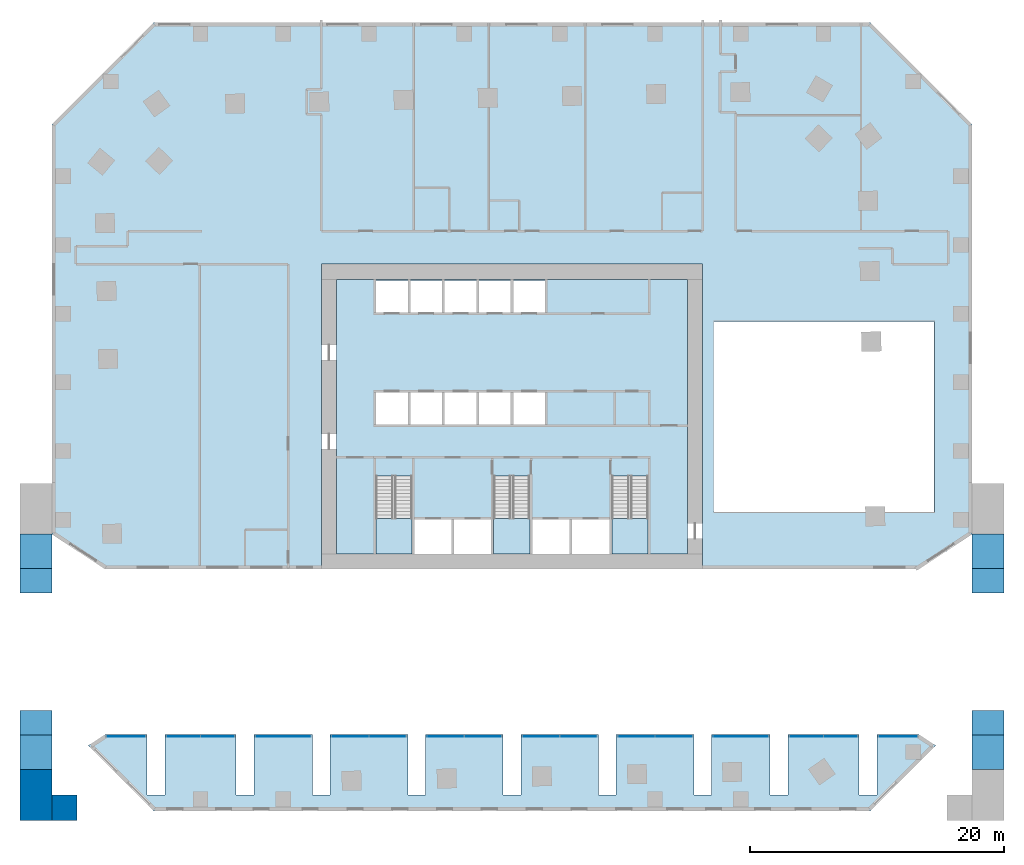
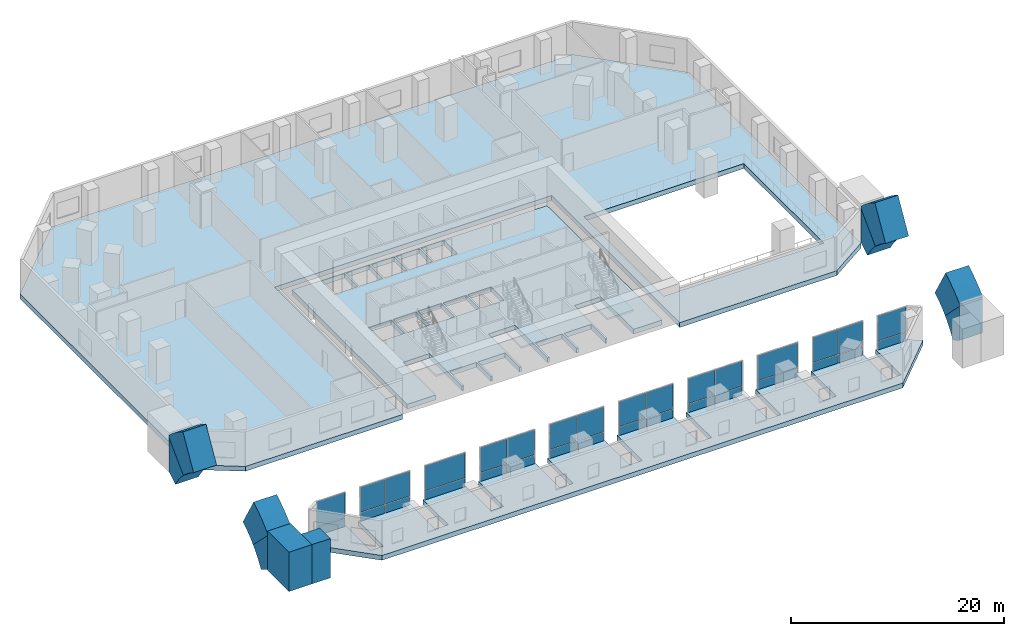
# One storey, part 4 of 12: 40 plates, 6 slabs, 2 walls, 13 elements without a shape of their own.
"""IFC4 building model written with IfcOpenShell, lengths in metres."""

import ifcopenshell
import ifcopenshell.guid

model = None  # the IFC model being written
_history = None  # IfcOwnerHistory: only IFC2X3 demands one
_inside = {}  # id of a spatial element -> (the spatial element, [elements in it])
_under = {}  # id of a project, library or spatial element -> (it, [spatial elements below it])
_declared = {}  # id of a project -> (the project, [libraries it declares])
_typed = {}  # id of a type object -> (the type object, [elements of that type])
_made_of = {}  # id of a material, layer set ... -> (it, [elements and type objects made of it])


def new_model(schema):
    """Start an empty IFC model of exactly this schema.

    Asked for "IFC4X3", IfcOpenShell would pick the latest addendum, in which some entities
    have other attributes; the version numbers below select the first issue.
    IFC2X3 requires an IfcOwnerHistory on every rooted entity: one is made here for all.
    """
    global model, _history
    if schema == "IFC4X3":
        model = ifcopenshell.file(schema_version=(4, 3, 0, 0))
    else:
        model = ifcopenshell.file(schema=schema)
    _inside.clear()
    _under.clear()
    _declared.clear()
    _typed.clear()
    _made_of.clear()
    _history = None
    if model.schema == "IFC2X3":
        org = make("IfcOrganization", Name="unknown")
        user = make(
            "IfcPersonAndOrganization",
            ThePerson=make("IfcPerson", FamilyName="unknown"),
            TheOrganization=org,
        )
        app = make(
            "IfcApplication",
            ApplicationDeveloper=org,
            Version="unknown",
            ApplicationFullName="unknown",
            ApplicationIdentifier="unknown",
        )
        _history = make(
            "IfcOwnerHistory",
            OwningUser=user,
            OwningApplication=app,
            ChangeAction="ADDED",
            CreationDate=0,
        )
    return model


def make(cls, **values):
    """One entity of the class cls with the attributes given. An attribute that is None is left unset."""
    return model.create_entity(
        cls, **{name: value for name, value in values.items() if value is not None}
    )


def rooted(cls, **values):
    """An entity with a GlobalId (a new one), such as an element, a storey or a relation."""
    return make(cls, GlobalId=ifcopenshell.guid.new(), OwnerHistory=_history, **values)


def si_unit(unit_type, name, prefix=None):
    """IfcSIUnit, for example si_unit("LENGTHUNIT", "METRE", prefix="MILLI")."""
    return make("IfcSIUnit", UnitType=unit_type, Prefix=prefix, Name=name)


def assignment(units):
    """IfcUnitAssignment: the units of a project."""
    return None if units is None else make("IfcUnitAssignment", Units=units)


def point(xyz):
    """IfcCartesianPoint."""
    return None if xyz is None else make("IfcCartesianPoint", Coordinates=xyz)


def direction(xyz):
    """IfcDirection."""
    return None if xyz is None else make("IfcDirection", DirectionRatios=xyz)


def frame(location, z_axis=None, x_axis=None):
    """IfcAxis2Placement3D, a coordinate frame: its origin and axes. An axis left out is left unset."""
    return make(
        "IfcAxis2Placement3D",
        Location=point(location),
        Axis=direction(z_axis),
        RefDirection=direction(x_axis),
    )


def frame_2d(location, x_axis=None):
    """IfcAxis2Placement2D, a coordinate frame in the plane: its origin and x axis."""
    return make(
        "IfcAxis2Placement2D", Location=point(location), RefDirection=direction(x_axis)
    )


def origin():
    """The frame at (0, 0, 0) with its axes left unset."""
    return frame((0.0, 0.0, 0.0))


def origin_2d():
    """The frame at (0, 0) in the plane with its x axis left unset."""
    return frame_2d((0.0, 0.0))


def place(relative_to, where):
    """IfcLocalPlacement: puts the frame where relative to a parent placement (None: the world)."""
    return make(
        "IfcLocalPlacement", PlacementRelTo=relative_to, RelativePlacement=where
    )


def context(
    kind, dimensions, precision=None, world=None, true_north=None, identifier=None
):
    """IfcGeometricRepresentationContext, for example the 3D "Model" context."""
    return make(
        "IfcGeometricRepresentationContext",
        ContextIdentifier=identifier,
        ContextType=kind,
        CoordinateSpaceDimension=dimensions,
        Precision=precision,
        WorldCoordinateSystem=world,
        TrueNorth=true_north,
    )


def subcontext(parent, identifier, kind, view, scale=None):
    """IfcGeometricRepresentationSubContext, for example "Body" below "Model"."""
    return make(
        "IfcGeometricRepresentationSubContext",
        ContextIdentifier=identifier,
        ContextType=kind,
        ParentContext=parent,
        TargetScale=scale,
        TargetView=view,
    )


def project(units=None, contexts=None):
    """IfcProject with its units and contexts."""
    return rooted(
        "IfcProject",
        Name="project",
        RepresentationContexts=contexts,
        UnitsInContext=assignment(units),
    )


def spatial(cls, under=None, at=None, **own):
    """A site, building, storey or space (cls), placed at a placement, below another one or the project."""
    s = rooted(cls, ObjectPlacement=at, **own)
    if under is not None:
        _under.setdefault(under.id(), (under, []))[1].append(s)
    return s


def polyline(points):
    """IfcPolyline through the points."""
    return make("IfcPolyline", Points=[point(p) for p in points])


def profile(cls, at=None, kind="AREA", **sizes):
    """A parametric profile (cls). Its sizes go by their IFC names, for example OverallWidth=200.0."""
    return make(cls, ProfileType=kind, Position=at, **sizes)


def rectangle(**sizes):
    """IfcRectangleProfileDef."""
    return profile("IfcRectangleProfileDef", **sizes)


def outline(outer, holes=None, kind="AREA"):
    """IfcArbitraryClosedProfileDef: a profile drawn as a closed curve; with holes, ...WithVoids."""
    if holes is None:
        return make("IfcArbitraryClosedProfileDef", ProfileType=kind, OuterCurve=outer)
    return make(
        "IfcArbitraryProfileDefWithVoids",
        ProfileType=kind,
        OuterCurve=outer,
        InnerCurves=holes,
    )


def extrude(swept, where, along, depth):
    """IfcExtrudedAreaSolid: the profile swept, set in the frame where, extruded along a direction by depth."""
    return make(
        "IfcExtrudedAreaSolid",
        SweptArea=swept,
        Position=where,
        ExtrudedDirection=direction(along),
        Depth=depth,
    )


def shape(context_of_items, identifier, shape_type, items):
    """IfcShapeRepresentation: the items that make up one representation, for example the "Body"."""
    return make(
        "IfcShapeRepresentation",
        ContextOfItems=context_of_items,
        RepresentationIdentifier=identifier,
        RepresentationType=shape_type,
        Items=items,
    )


def material(Name=None, Category=None):
    """IfcMaterial."""
    return make("IfcMaterial", Name=Name, Category=Category)


def layer(
    of_material, thickness, ventilated=None, Name=None, Category=None, Priority=None
):
    """IfcMaterialLayer: one layer of a wall or slab, of a material (None: an air gap)."""
    return make(
        "IfcMaterialLayer",
        Material=of_material,
        LayerThickness=thickness,
        IsVentilated=ventilated,
        Name=Name,
        Category=Category,
        Priority=Priority,
    )


def layer_set(layers, Name=None):
    """IfcMaterialLayerSet."""
    return make("IfcMaterialLayerSet", MaterialLayers=layers, LayerSetName=Name)


def made_of(thing, what):
    """Note that an element or type object is made of a material, layer set ...; save() writes the relation."""
    if what is not None:
        _made_of.setdefault(what.id(), (what, []))[1].append(thing)
    return thing


def type_object(cls, material=None, **own):
    """A type object (cls), such as IfcWallType, which elements share."""
    return made_of(rooted(cls, **own), material)


def element(
    cls,
    number,
    at=None,
    inside=None,
    cuts=None,
    type_object=None,
    material=None,
    context=None,
    identifier="Body",
    shape_type=None,
    held_by="IfcProductDefinitionShape",
    body=None,
    shapes=None,
    **own,
):
    """One element of the class cls, such as IfcWall. Its Tag is "e" and its number.

    at: its placement. inside: the storey or other place that contains it. cuts: it is an
    opening in that element (IfcRelVoidsElement). A single representation is given by context,
    identifier, shape_type and body (its items); several are given by shapes. held_by: the class
    of the entity that holds the representations. save() writes the other relations.
    """
    e = rooted(cls, Tag="e%d" % number, ObjectPlacement=at, **own)
    if body is not None:
        shapes = [shape(context, identifier, shape_type, body)]
    if shapes is not None:
        e.Representation = make(held_by, Representations=shapes)
    if inside is not None:
        _inside.setdefault(inside.id(), (inside, []))[1].append(e)
    if cuts is not None:
        rooted(
            "IfcRelVoidsElement", RelatingBuildingElement=cuts, RelatedOpeningElement=e
        )
    if type_object is not None:
        _typed.setdefault(type_object.id(), (type_object, []))[1].append(e)
    return made_of(e, material)


def aggregate(whole, parts):
    """IfcRelAggregates: a whole, such as a stair, and the parts it consists of."""
    return rooted("IfcRelAggregates", RelatingObject=whole, RelatedObjects=parts)


def save(model, path):
    """Write the relations noted so far, then the file.

    IfcRelAggregates (storeys below a building ...), IfcRelContainedInSpatialStructure (elements
    in a storey), IfcRelDefinesByType, IfcRelAssociatesMaterial and IfcRelDeclares: one each for
    every whole, place, type object, material and project.
    """
    for whole, parts in _under.values():
        aggregate(whole, parts)
    for where, things in _inside.values():
        rooted(
            "IfcRelContainedInSpatialStructure",
            RelatedElements=things,
            RelatingStructure=where,
        )
    for kind, things in _typed.values():
        rooted("IfcRelDefinesByType", RelatedObjects=things, RelatingType=kind)
    for what, things in _made_of.values():
        rooted("IfcRelAssociatesMaterial", RelatedObjects=things, RelatingMaterial=what)
    for by, libraries in _declared.values():
        rooted("IfcRelDeclares", RelatingContext=by, RelatedDefinitions=libraries)
    model.write(path)


model = new_model("IFC4")

# Units and contexts
model_context = context("Model", 3, precision=1e-05, world=origin(), true_north=direction((0.0, 1.0)))
body_context = subcontext(model_context, "Body", "Model", "MODEL_VIEW")
ifc_project = project(units=[si_unit("LENGTHUNIT", "METRE"), si_unit("AREAUNIT", "SQUARE_METRE"), si_unit("VOLUMEUNIT", "CUBIC_METRE"), si_unit("PLANEANGLEUNIT", "RADIAN"), si_unit("MASSUNIT", "GRAM", prefix="KILO")], contexts=[model_context])

# Site, building, storey
site_placement = place(None, origin())
site = spatial("IfcSite", under=ifc_project, at=site_placement, CompositionType="ELEMENT")
building_placement = place(site_placement, origin())
building = spatial("IfcBuilding", under=site, at=building_placement, Name="Mangrove Gate Tower", CompositionType="ELEMENT")
storey_placement = place(building_placement, frame((0.0, 0.0, 16.0)))
storey = spatial("IfcBuildingStorey", under=building, at=storey_placement, Name="L03", CompositionType="ELEMENT", Elevation=16.0)

# Slab
ifc_material_1 = material(Name="Concrete C40/50", Category="concrete")
ifc_layer_1 = layer(ifc_material_1, 0.550048828125)
ifc_layer_set_1 = layer_set([ifc_layer_1], Name="Core floor slab 550 C40/50")
slab_type_1 = type_object("IfcSlabType", Name="Core floor slab 550 C40/50", PredefinedType="FLOOR", material=ifc_layer_set_1)
slab_1_placement = place(storey_placement, frame((0.0, 0.0, -0.550048828125)))
element("IfcSlab", 1, at=slab_1_placement, inside=storey, type_object=slab_type_1, Name="SLAB-L03-CORE-1", PredefinedType="FLOOR", context=body_context, shape_type="SweptSolid", body=[
    extrude(outline(polyline([(-13.800048828125, -10.800048828125), (-13.800048828125, 10.800048828125), (13.800048828125, 10.800048828125), (13.800048828125, -10.800048828125), (10.699951171875, -10.800048828125), (10.699951171875, -4.653076171875), (7.85009765625, -4.653076171875), (7.85009765625, -10.800048828125), (7.64990234375, -10.800048828125), (7.64990234375, -8.10009765625), (4.72509765625, -8.10009765625), (4.72509765625, -10.800048828125), (4.52490234375, -10.800048828125), (4.52490234375, -8.10009765625), (1.60009765625, -8.10009765625), (1.60009765625, -10.800048828125), (1.39990234375, -10.800048828125), (1.39990234375, -4.653076171875), (-1.449951171875, -4.653076171875), (-1.449951171875, -10.800048828125), (-1.64990234375, -10.800048828125), (-1.64990234375, -8.10009765625), (-4.550048828125, -8.10009765625), (-4.550048828125, -10.800048828125), (-4.75, -10.800048828125), (-4.75, -8.10009765625), (-7.64990234375, -8.10009765625), (-7.64990234375, -10.800048828125), (-7.85009765625, -10.800048828125), (-7.85009765625, -4.653076171875), (-10.699951171875, -4.653076171875), (-10.699951171875, -10.800048828125), (-13.800048828125, -10.800048828125)]), holes=[polyline([(-8.199951171875, -0.60009765625), (-8.199951171875, 1.89990234375), (-10.699951171875, 1.89990234375), (-10.699951171875, -0.60009765625), (-8.199951171875, -0.60009765625)]), polyline([(-5.5, -0.60009765625), (-5.5, 1.89990234375), (-8.0, 1.89990234375), (-8.0, -0.60009765625), (-5.5, -0.60009765625)]), polyline([(-2.800048828125, -0.60009765625), (-2.800048828125, 1.89990234375), (-5.300048828125, 1.89990234375), (-5.300048828125, -0.60009765625), (-2.800048828125, -0.60009765625)]), polyline([(-8.199951171875, 8.199951171875), (-8.199951171875, 10.699951171875), (-10.699951171875, 10.699951171875), (-10.699951171875, 8.199951171875), (-8.199951171875, 8.199951171875)]), polyline([(-5.5, 8.199951171875), (-5.5, 10.699951171875), (-8.0, 10.699951171875), (-8.0, 8.199951171875), (-5.5, 8.199951171875)]), polyline([(-2.800048828125, 8.199951171875), (-2.800048828125, 10.699951171875), (-5.300048828125, 10.699951171875), (-5.300048828125, 8.199951171875), (-2.800048828125, 8.199951171875)]), polyline([(-0.10009765625, -0.60009765625), (-0.10009765625, 1.89990234375), (-2.60009765625, 1.89990234375), (-2.60009765625, -0.60009765625), (-0.10009765625, -0.60009765625)]), polyline([(2.60009765625, -0.60009765625), (2.60009765625, 1.89990234375), (0.10009765625, 1.89990234375), (0.10009765625, -0.60009765625), (2.60009765625, -0.60009765625)]), polyline([(-2.60009765625, 8.199951171875), (-0.10009765625, 8.199951171875), (-0.10009765625, 10.699951171875), (-2.60009765625, 10.699951171875), (-2.60009765625, 8.199951171875)]), polyline([(0.10009765625, 8.199951171875), (2.60009765625, 8.199951171875), (2.60009765625, 10.699951171875), (0.10009765625, 10.699951171875), (0.10009765625, 8.199951171875)])]), origin(), (0.0, 0.0, 1.0), 0.550048828125),
])

# Stair, slab
ifc_material_2 = material(Name="Concrete C40/50", Category="concrete")
stair_type = type_object("IfcStairType", Name="Core stair 1350", PredefinedType="HALF_TURN_STAIR", material=ifc_material_2)
stair_1_placement = place(storey_placement, origin())
stair_1 = element("IfcStair", 2, at=stair_1_placement, inside=storey, type_object=stair_type, Name="L03 Stair 1", PredefinedType="HALF_TURN_STAIR")
ifc_material_3 = material(Name="Concrete C40/50", Category="concrete")
ifc_layer_2 = layer(ifc_material_3, 0.199951171875)
ifc_layer_set_2 = layer_set([ifc_layer_2], Name="Core stair landing 200")
slab_type_2 = type_object("IfcSlabType", Name="Core stair landing 200", PredefinedType="LANDING", material=ifc_layer_set_2)
slab_2_placement = place(storey_placement, frame((0.0, 0.0, 2.050048828125)))
slab_2 = element("IfcSlab", 3, at=slab_2_placement, type_object=slab_type_2, Name="ST1 landing 1", PredefinedType="LANDING", context=body_context, shape_type="SweptSolid", body=[
    extrude(outline(polyline([(-10.699951171875, -8.010009765625), (-10.699951171875, -10.800048828125), (-7.85009765625, -10.800048828125), (-7.85009765625, -8.010009765625), (-10.699951171875, -8.010009765625)])), origin(), (0.0, 0.0, 1.0), 0.199951171875),
])
aggregate(stair_1, [slab_2])

stair_2_placement = place(storey_placement, origin())
stair_2 = element("IfcStair", 4, at=stair_2_placement, inside=storey, type_object=stair_type, Name="L03 Stair 2", PredefinedType="HALF_TURN_STAIR")
slab_3_placement = place(storey_placement, frame((0.0, 0.0, 2.050048828125)))
slab_3 = element("IfcSlab", 5, at=slab_3_placement, type_object=slab_type_2, Name="ST2 landing 1", PredefinedType="LANDING", context=body_context, shape_type="SweptSolid", body=[
    extrude(outline(polyline([(-1.449951171875, -8.010009765625), (-1.449951171875, -10.800048828125), (1.39990234375, -10.800048828125), (1.39990234375, -8.010009765625), (-1.449951171875, -8.010009765625)])), origin(), (0.0, 0.0, 1.0), 0.199951171875),
])
aggregate(stair_2, [slab_3])

stair_3_placement = place(storey_placement, origin())
stair_3 = element("IfcStair", 6, at=stair_3_placement, inside=storey, type_object=stair_type, Name="L03 Stair 3", PredefinedType="HALF_TURN_STAIR")
slab_4_placement = place(storey_placement, frame((0.0, 0.0, 2.050048828125)))
slab_4 = element("IfcSlab", 7, at=slab_4_placement, type_object=slab_type_2, Name="ST3 landing 1", PredefinedType="LANDING", context=body_context, shape_type="SweptSolid", body=[
    extrude(outline(polyline([(7.85009765625, -8.010009765625), (7.85009765625, -10.800048828125), (10.699951171875, -10.800048828125), (10.699951171875, -8.010009765625), (7.85009765625, -8.010009765625)])), origin(), (0.0, 0.0, 1.0), 0.199951171875),
])
aggregate(stair_3, [slab_4])

# Slabs
ifc_material_4 = material(Name="Concrete C40/50", Category="concrete")
ifc_layer_3 = layer(ifc_material_4, 0.550048828125)
ifc_layer_set_3 = layer_set([ifc_layer_3], Name="Floor slab 550 C40/50")
slab_type_3 = type_object("IfcSlabType", Name="Floor slab 550 C40/50", PredefinedType="FLOOR", material=ifc_layer_set_3)
slab_5_placement = place(storey_placement, frame((0.0, 0.0, -0.550048828125)))
element("IfcSlab", 8, at=slab_5_placement, inside=storey, type_object=slab_type_3, Name="Floor slab L03", PredefinedType="FLOOR", context=body_context, shape_type="SweptSolid", body=[
    extrude(outline(polyline([(-28.699951171875, -25.0), (-32.0, -25.0), (-33.32958984375, -25.87060546875), (-28.199951171875, -31.0), (28.199951171875, -31.0), (33.32958984375, -25.87060546875), (32.0, -25.0), (28.699951171875, -25.0), (28.699951171875, -29.75), (27.300048828125, -29.75), (27.300048828125, -25.0), (21.699951171875, -25.0), (21.699951171875, -29.75), (20.300048828125, -29.75), (20.300048828125, -25.0), (15.699951171875, -25.0), (15.699951171875, -29.75), (14.300048828125, -29.75), (14.300048828125, -25.0), (8.199951171875, -25.0), (8.199951171875, -29.75), (6.800048828125, -29.75), (6.800048828125, -25.0), (0.699951171875, -25.0), (0.699951171875, -29.75), (-0.699951171875, -29.75), (-0.699951171875, -25.0), (-6.800048828125, -25.0), (-6.800048828125, -29.75), (-8.199951171875, -29.75), (-8.199951171875, -25.0), (-14.300048828125, -25.0), (-14.300048828125, -29.75), (-15.699951171875, -29.75), (-15.699951171875, -25.0), (-20.300048828125, -25.0), (-20.300048828125, -29.75), (-21.699951171875, -29.75), (-21.699951171875, -25.0), (-27.300048828125, -25.0), (-27.300048828125, -29.75), (-28.699951171875, -29.75), (-28.699951171875, -25.0)])), origin(), (0.0, 0.0, 1.0), 0.550048828125),
])
slab_6_placement = place(storey_placement, frame((0.0, 0.0, -0.550048828125)))
element("IfcSlab", 9, at=slab_6_placement, inside=storey, type_object=slab_type_3, Name="Floor slab L03", PredefinedType="FLOOR", context=body_context, shape_type="SweptSolid", body=[
    extrude(outline(polyline([(36.199951171875, -9.25), (36.199951171875, 23.0), (28.199951171875, 31.0), (-28.199951171875, 31.0), (-36.199951171875, 23.0), (-36.199951171875, -9.25), (-32.0, -12.0), (-15.0, -12.0), (-15.0, 12.0), (15.0, 12.0), (15.0, -12.0), (32.0, -12.0), (36.199951171875, -9.25)]), holes=[polyline([(15.89990234375, 7.5), (33.199951171875, 7.5), (33.199951171875, -7.5), (15.89990234375, -7.5), (15.89990234375, 7.5)])]), origin(), (0.0, 0.0, 1.0), 0.550048828125),
])

# Plates
ifc_material_5 = material(Name="Limestone cladding", Category="masonry")
ifc_layer_4 = layer(ifc_material_5, 2.5)
ifc_layer_set_4 = layer_set([ifc_layer_4], Name="Limestone arch panel")
plate_type_1 = type_object("IfcPlateType", Name="Limestone arch panel", PredefinedType="SHEET", material=ifc_layer_set_4)
plate_1_placement = place(storey_placement, frame((38.699951171875, -10.489013671875, -0.625), z_axis=(1.0, 0.0, 0.0), x_axis=(0.0, 0.866103179807, 0.499865263774)))
element("IfcPlate", 10, at=plate_1_placement, inside=storey, type_object=plate_type_1, Name="ARCH STONE E 3", PredefinedType="SHEET", context=body_context, shape_type="SweptSolid", body=[
    extrude(outline(polyline([(0.0, 0.0), (1.430561278, 0.0), (3.384990526, 3.386387311), (-0.315396644, 2.394254519), (-0.177663523, 1.804552799), (-0.078996875, 1.207236428), (-0.020323459, 0.60509535), (0.0, 0.0)])), origin(), (0.0, 0.0, -1.0), 2.5),
])
plate_2_placement = place(storey_placement, frame((38.699951171875, -11.958984375, 1.291015625), z_axis=(1.0, 0.0, 0.0), x_axis=(0.0, 0.707106781187, 0.707106781187)))
element("IfcPlate", 11, at=plate_2_placement, inside=storey, type_object=plate_type_1, Name="ARCH STONE E 4", PredefinedType="SHEET", context=body_context, shape_type="SweptSolid", body=[
    extrude(outline(polyline([(0.0, 0.0), (3.831082443, 0.0), (3.994393726, 0.163311283), (3.971088205, 0.866792761), (3.886152527, 1.729614951), (3.744938331, 2.585186535), (3.548308784, 3.429536942), (-0.315401389, 2.394253894), (-0.178330397, 1.804537887), (-0.079066139, 1.207743907), (-0.019680218, 0.605253021), (0.0, 0.0)])), origin(), (0.0, 0.0, -1.0), 2.5),
])
plate_3_placement = place(storey_placement, frame((38.699951171875, -23.125, 2.760986328125), z_axis=(1.0, 0.0, 0.0), x_axis=(0.0, -0.49999894854, 0.866026010844)))
element("IfcPlate", 12, at=plate_3_placement, inside=storey, type_object=plate_type_1, Name="ARCH STONE E 9", PredefinedType="SHEET", context=body_context, shape_type="SweptSolid", body=[
    extrude(outline(polyline([(0.0, 0.0), (4.000008412, 0.0), (3.971402951, 0.866471301), (3.886366122, 1.729438811), (3.745091833, 2.584843847), (3.585528001, 3.270386494), (3.385513205, 3.385864767), (-0.315027066, 2.394303174), (-0.177384972, 1.804580202), (-0.078810526, 1.207248608), (-0.020230057, 0.60509848), (0.0, 0.0)])), origin(), (0.0, 0.0, -1.0), 2.5),
])
plate_4_placement = place(storey_placement, frame((38.699951171875, -25.041015625, 1.291015625), z_axis=(1.0, 0.0, 0.0), x_axis=(0.0, -0.707106781187, 0.707106781187)))
element("IfcPlate", 13, at=plate_4_placement, inside=storey, type_object=plate_type_1, Name="ARCH STONE E 10", PredefinedType="SHEET", context=body_context, shape_type="SweptSolid", body=[
    extrude(outline(polyline([(0.0, 0.0), (3.831082443, 0.0), (1.066357077, 2.764725366), (-0.315401389, 2.394253894), (-0.178330397, 1.804537887), (-0.079066139, 1.207743907), (-0.019680218, 0.605253021), (0.0, 0.0)])), origin(), (0.0, 0.0, -1.0), 2.5),
])
plate_5_placement = place(storey_placement, frame((-38.699951171875, -10.80908203125, -0.111083984375), z_axis=(-1.0, 0.0, 0.0), x_axis=(0.0, -0.581505373245, 0.813542562431)))
element("IfcPlate", 14, at=plate_5_placement, inside=storey, type_object=plate_type_1, Name="ARCH STONE W 3", PredefinedType="SHEET", context=body_context, shape_type="SweptSolid", body=[
    extrude(outline(polyline([(0.0, 0.0), (0.604992932, 0.0), (1.209062523, -0.04027262), (1.809342101, -0.120166043), (2.437927221, 3.658997018), (-0.742952696, 1.385362117), (-0.604214023, -0.038455691), (0.0, 0.0)])), origin(), (0.0, 0.0, -1.0), 2.5),
])
plate_6_placement = place(storey_placement, frame((-38.699951171875, -12.40087890625, 1.705078125), z_axis=(-1.0, 0.0, 0.0), x_axis=(0.0, -0.773058158709, 0.634335150574)))
element("IfcPlate", 15, at=plate_6_placement, inside=storey, type_object=plate_type_1, Name="ARCH STONE W 4", PredefinedType="SHEET", context=body_context, shape_type="SweptSolid", body=[
    extrude(outline(polyline([(0.0, 0.0), (0.605410567, 0.0), (1.209063448, -0.040244838), (1.809381027, -0.118808375), (2.460672291, 3.827821451), (1.601106107, 3.94067872), (0.735808663, 3.99728718), (-0.13118395, 3.997177306), (-0.833558869, 3.951364542), (-0.980063032, 3.772821325), (-0.604264571, -0.03978516), (0.0, 0.0)])), origin(), (0.0, 0.0, -1.0), 2.5),
])
plate_7_placement = place(storey_placement, frame((-38.699951171875, -23.638916015625, 2.44091796875), z_axis=(-1.0, 0.0, 0.0), x_axis=(0.0, -0.813542562431, -0.581505373245)))
element("IfcPlate", 16, at=plate_7_placement, inside=storey, type_object=plate_type_1, Name="ARCH STONE W 9", PredefinedType="SHEET", context=body_context, shape_type="SweptSolid", body=[
    extrude(outline(polyline([(0.0, 0.0), (0.604992932, 0.0), (1.209062523, -0.04027262), (1.809342101, -0.120166043), (2.437927221, 3.658997018), (2.303624466, 3.846890393), (1.605852816, 3.939324484), (0.740787889, 3.997107478), (-0.126358594, 3.998185004), (-0.991528249, 3.942757062), (-0.604214023, -0.038455691), (0.0, 0.0)])), origin(), (0.0, 0.0, -1.0), 2.5),
])
plate_8_placement = place(storey_placement, frame((-38.699951171875, -25.455078125, 0.84912109375), z_axis=(-1.0, 0.0, 0.0), x_axis=(0.0, -0.634335150574, -0.773058158709)))
element("IfcPlate", 17, at=plate_8_placement, inside=storey, type_object=plate_type_1, Name="ARCH STONE W 10", PredefinedType="SHEET", context=body_context, shape_type="SweptSolid", body=[
    extrude(outline(polyline([(0.0, 0.0), (0.605410567, 0.0), (1.209063448, -0.040244838), (1.809381027, -0.118808375), (2.042526424, 1.292626638), (-0.980063032, 3.772821325), (-0.604264571, -0.03978516), (0.0, 0.0)])), origin(), (0.0, 0.0, -1.0), 2.5),
])

# Curtain wall, plates
ifc_material_6 = material(Name="Aluminium and glass curtain wall", Category="aluminium")
curtain_wall_type = type_object("IfcCurtainWallType", Name="Podium amenity glazing wall", PredefinedType="NOTDEFINED", material=ifc_material_6)
curtain_wall_1_placement = place(storey_placement, origin())
curtain_wall_1 = element("IfcCurtainWall", 18, at=curtain_wall_1_placement, inside=storey, type_object=curtain_wall_type, Name="Podium amenity glazing N1", PredefinedType="NOTDEFINED")
ifc_material_7 = material(Name="Laminated low-e glass", Category="glass")
ifc_layer_5 = layer(ifc_material_7, 0.028076171875)
ifc_layer_set_5 = layer_set([ifc_layer_5], Name="Podium amenity glazing panel 28")
plate_type_2 = type_object("IfcPlateType", Name="Podium amenity glazing panel 28", PredefinedType="CURTAIN_PANEL", material=ifc_layer_set_5)
plate_9_placement = place(storey_placement, frame((30.36767578125, -25.14990234375, 0.0), z_axis=(0.0, 0.0, 1.0), x_axis=(-1.0, 0.0, 0.0)))
plate_9 = element("IfcPlate", 19, at=plate_9_placement, type_object=plate_type_2, Name="CWP panel 1.1", PredefinedType="CURTAIN_PANEL", context=body_context, shape_type="SweptSolid", body=[
    extrude(rectangle(XDim=3.05517578125, YDim=0.028076171875, at=origin_2d()), origin(), (0.0, 0.0, 1.0), 0.969970703125),
])
plate_10_placement = place(storey_placement, frame((30.36767578125, -25.14990234375, 1.02978515625), z_axis=(0.0, 0.0, 1.0), x_axis=(-1.0, 0.0, 0.0)))
plate_10 = element("IfcPlate", 20, at=plate_10_placement, type_object=plate_type_2, Name="CWP panel 1.2", PredefinedType="CURTAIN_PANEL", context=body_context, shape_type="SweptSolid", body=[
    extrude(rectangle(XDim=3.05517578125, YDim=0.028076171875, at=origin_2d()), origin(), (0.0, 0.0, 1.0), 2.860107421875),
])
aggregate(curtain_wall_1, [plate_9, plate_10])

curtain_wall_2_placement = place(storey_placement, origin())
curtain_wall_2 = element("IfcCurtainWall", 21, at=curtain_wall_2_placement, inside=storey, type_object=curtain_wall_type, Name="Podium amenity glazing N4011", PredefinedType="NOTDEFINED")
plate_11_placement = place(storey_placement, frame((25.844970703125, -25.14990234375, 0.0), z_axis=(0.0, 0.0, 1.0), x_axis=(-1.0, 0.0, 0.0)))
plate_11 = element("IfcPlate", 22, at=plate_11_placement, type_object=plate_type_2, Name="CWP panel 1.1", PredefinedType="CURTAIN_PANEL", context=body_context, shape_type="SweptSolid", body=[
    extrude(rectangle(XDim=2.6298828125, YDim=0.028076171875, at=origin_2d()), origin(), (0.0, 0.0, 1.0), 0.969970703125),
])
plate_12_placement = place(storey_placement, frame((25.844970703125, -25.14990234375, 1.02978515625), z_axis=(0.0, 0.0, 1.0), x_axis=(-1.0, 0.0, 0.0)))
plate_12 = element("IfcPlate", 23, at=plate_12_placement, type_object=plate_type_2, Name="CWP panel 1.2", PredefinedType="CURTAIN_PANEL", context=body_context, shape_type="SweptSolid", body=[
    extrude(rectangle(XDim=2.6298828125, YDim=0.028076171875, at=origin_2d()), origin(), (0.0, 0.0, 1.0), 2.860107421875),
])
plate_13_placement = place(storey_placement, frame((23.155029296875, -25.14990234375, 0.0), z_axis=(0.0, 0.0, 1.0), x_axis=(-1.0, 0.0, 0.0)))
plate_13 = element("IfcPlate", 24, at=plate_13_placement, type_object=plate_type_2, Name="CWP panel 2.1", PredefinedType="CURTAIN_PANEL", context=body_context, shape_type="SweptSolid", body=[
    extrude(rectangle(XDim=2.6298828125, YDim=0.028076171875, at=origin_2d()), origin(), (0.0, 0.0, 1.0), 0.969970703125),
])
plate_14_placement = place(storey_placement, frame((23.155029296875, -25.14990234375, 1.02978515625), z_axis=(0.0, 0.0, 1.0), x_axis=(-1.0, 0.0, 0.0)))
plate_14 = element("IfcPlate", 25, at=plate_14_placement, type_object=plate_type_2, Name="CWP panel 2.2", PredefinedType="CURTAIN_PANEL", context=body_context, shape_type="SweptSolid", body=[
    extrude(rectangle(XDim=2.6298828125, YDim=0.028076171875, at=origin_2d()), origin(), (0.0, 0.0, 1.0), 2.860107421875),
])
aggregate(curtain_wall_2, [plate_11, plate_12, plate_13, plate_14])

curtain_wall_3_placement = place(storey_placement, origin())
curtain_wall_3 = element("IfcCurtainWall", 26, at=curtain_wall_3_placement, inside=storey, type_object=curtain_wall_type, Name="Podium amenity glazing N4012", PredefinedType="NOTDEFINED")
plate_15_placement = place(storey_placement, frame((18.0, -25.14990234375, 0.0), z_axis=(0.0, 0.0, 1.0), x_axis=(-1.0, 0.0, 0.0)))
plate_15 = element("IfcPlate", 27, at=plate_15_placement, type_object=plate_type_2, Name="CWP panel 1.1", PredefinedType="CURTAIN_PANEL", context=body_context, shape_type="SweptSolid", body=[
    extrude(rectangle(XDim=4.320068359375, YDim=0.028076171875, at=origin_2d()), origin(), (0.0, 0.0, 1.0), 0.969970703125),
])
plate_16_placement = place(storey_placement, frame((18.0, -25.14990234375, 1.02978515625), z_axis=(0.0, 0.0, 1.0), x_axis=(-1.0, 0.0, 0.0)))
plate_16 = element("IfcPlate", 28, at=plate_16_placement, type_object=plate_type_2, Name="CWP panel 1.2", PredefinedType="CURTAIN_PANEL", context=body_context, shape_type="SweptSolid", body=[
    extrude(rectangle(XDim=4.320068359375, YDim=0.028076171875, at=origin_2d()), origin(), (0.0, 0.0, 1.0), 2.860107421875),
])
aggregate(curtain_wall_3, [plate_15, plate_16])

curtain_wall_4_placement = place(storey_placement, origin())
curtain_wall_4 = element("IfcCurtainWall", 29, at=curtain_wall_4_placement, inside=storey, type_object=curtain_wall_type, Name="Podium amenity glazing N4013", PredefinedType="NOTDEFINED")
plate_17_placement = place(storey_placement, frame((12.719970703125, -25.14990234375, 0.0), z_axis=(0.0, 0.0, 1.0), x_axis=(-1.0, 0.0, 0.0)))
plate_17 = element("IfcPlate", 30, at=plate_17_placement, type_object=plate_type_2, Name="CWP panel 1.1", PredefinedType="CURTAIN_PANEL", context=body_context, shape_type="SweptSolid", body=[
    extrude(rectangle(XDim=2.8798828125, YDim=0.028076171875, at=origin_2d()), origin(), (0.0, 0.0, 1.0), 0.969970703125),
])
plate_18_placement = place(storey_placement, frame((12.719970703125, -25.14990234375, 1.02978515625), z_axis=(0.0, 0.0, 1.0), x_axis=(-1.0, 0.0, 0.0)))
plate_18 = element("IfcPlate", 31, at=plate_18_placement, type_object=plate_type_2, Name="CWP panel 1.2", PredefinedType="CURTAIN_PANEL", context=body_context, shape_type="SweptSolid", body=[
    extrude(rectangle(XDim=2.8798828125, YDim=0.028076171875, at=origin_2d()), origin(), (0.0, 0.0, 1.0), 2.860107421875),
])
plate_19_placement = place(storey_placement, frame((9.780029296875, -25.14990234375, 0.0), z_axis=(0.0, 0.0, 1.0), x_axis=(-1.0, 0.0, 0.0)))
plate_19 = element("IfcPlate", 32, at=plate_19_placement, type_object=plate_type_2, Name="CWP panel 2.1", PredefinedType="CURTAIN_PANEL", context=body_context, shape_type="SweptSolid", body=[
    extrude(rectangle(XDim=2.8798828125, YDim=0.028076171875, at=origin_2d()), origin(), (0.0, 0.0, 1.0), 0.969970703125),
])
plate_20_placement = place(storey_placement, frame((9.780029296875, -25.14990234375, 1.02978515625), z_axis=(0.0, 0.0, 1.0), x_axis=(-1.0, 0.0, 0.0)))
plate_20 = element("IfcPlate", 33, at=plate_20_placement, type_object=plate_type_2, Name="CWP panel 2.2", PredefinedType="CURTAIN_PANEL", context=body_context, shape_type="SweptSolid", body=[
    extrude(rectangle(XDim=2.8798828125, YDim=0.028076171875, at=origin_2d()), origin(), (0.0, 0.0, 1.0), 2.860107421875),
])
aggregate(curtain_wall_4, [plate_17, plate_18, plate_19, plate_20])

curtain_wall_5_placement = place(storey_placement, origin())
curtain_wall_5 = element("IfcCurtainWall", 34, at=curtain_wall_5_placement, inside=storey, type_object=curtain_wall_type, Name="Podium amenity glazing N4014", PredefinedType="NOTDEFINED")
plate_21_placement = place(storey_placement, frame((5.219970703125, -25.14990234375, 0.0), z_axis=(0.0, 0.0, 1.0), x_axis=(-1.0, 0.0, 0.0)))
plate_21 = element("IfcPlate", 35, at=plate_21_placement, type_object=plate_type_2, Name="CWP panel 1.1", PredefinedType="CURTAIN_PANEL", context=body_context, shape_type="SweptSolid", body=[
    extrude(rectangle(XDim=2.8798828125, YDim=0.028076171875, at=origin_2d()), origin(), (0.0, 0.0, 1.0), 0.969970703125),
])
plate_22_placement = place(storey_placement, frame((5.219970703125, -25.14990234375, 1.02978515625), z_axis=(0.0, 0.0, 1.0), x_axis=(-1.0, 0.0, 0.0)))
plate_22 = element("IfcPlate", 36, at=plate_22_placement, type_object=plate_type_2, Name="CWP panel 1.2", PredefinedType="CURTAIN_PANEL", context=body_context, shape_type="SweptSolid", body=[
    extrude(rectangle(XDim=2.8798828125, YDim=0.028076171875, at=origin_2d()), origin(), (0.0, 0.0, 1.0), 2.860107421875),
])
plate_23_placement = place(storey_placement, frame((2.280029296875, -25.14990234375, 0.0), z_axis=(0.0, 0.0, 1.0), x_axis=(-1.0, 0.0, 0.0)))
plate_23 = element("IfcPlate", 37, at=plate_23_placement, type_object=plate_type_2, Name="CWP panel 2.1", PredefinedType="CURTAIN_PANEL", context=body_context, shape_type="SweptSolid", body=[
    extrude(rectangle(XDim=2.8798828125, YDim=0.028076171875, at=origin_2d()), origin(), (0.0, 0.0, 1.0), 0.969970703125),
])
plate_24_placement = place(storey_placement, frame((2.280029296875, -25.14990234375, 1.02978515625), z_axis=(0.0, 0.0, 1.0), x_axis=(-1.0, 0.0, 0.0)))
plate_24 = element("IfcPlate", 38, at=plate_24_placement, type_object=plate_type_2, Name="CWP panel 2.2", PredefinedType="CURTAIN_PANEL", context=body_context, shape_type="SweptSolid", body=[
    extrude(rectangle(XDim=2.8798828125, YDim=0.028076171875, at=origin_2d()), origin(), (0.0, 0.0, 1.0), 2.860107421875),
])
aggregate(curtain_wall_5, [plate_21, plate_22, plate_23, plate_24])

curtain_wall_6_placement = place(storey_placement, origin())
curtain_wall_6 = element("IfcCurtainWall", 39, at=curtain_wall_6_placement, inside=storey, type_object=curtain_wall_type, Name="Podium amenity glazing N4015", PredefinedType="NOTDEFINED")
plate_25_placement = place(storey_placement, frame((-2.280029296875, -25.14990234375, 0.0), z_axis=(0.0, 0.0, 1.0), x_axis=(-1.0, 0.0, 0.0)))
plate_25 = element("IfcPlate", 40, at=plate_25_placement, type_object=plate_type_2, Name="CWP panel 1.1", PredefinedType="CURTAIN_PANEL", context=body_context, shape_type="SweptSolid", body=[
    extrude(rectangle(XDim=2.8798828125, YDim=0.028076171875, at=origin_2d()), origin(), (0.0, 0.0, 1.0), 0.969970703125),
])
plate_26_placement = place(storey_placement, frame((-2.280029296875, -25.14990234375, 1.02978515625), z_axis=(0.0, 0.0, 1.0), x_axis=(-1.0, 0.0, 0.0)))
plate_26 = element("IfcPlate", 41, at=plate_26_placement, type_object=plate_type_2, Name="CWP panel 1.2", PredefinedType="CURTAIN_PANEL", context=body_context, shape_type="SweptSolid", body=[
    extrude(rectangle(XDim=2.8798828125, YDim=0.028076171875, at=origin_2d()), origin(), (0.0, 0.0, 1.0), 2.860107421875),
])
plate_27_placement = place(storey_placement, frame((-5.219970703125, -25.14990234375, 0.0), z_axis=(0.0, 0.0, 1.0), x_axis=(-1.0, 0.0, 0.0)))
plate_27 = element("IfcPlate", 42, at=plate_27_placement, type_object=plate_type_2, Name="CWP panel 2.1", PredefinedType="CURTAIN_PANEL", context=body_context, shape_type="SweptSolid", body=[
    extrude(rectangle(XDim=2.8798828125, YDim=0.028076171875, at=origin_2d()), origin(), (0.0, 0.0, 1.0), 0.969970703125),
])
plate_28_placement = place(storey_placement, frame((-5.219970703125, -25.14990234375, 1.02978515625), z_axis=(0.0, 0.0, 1.0), x_axis=(-1.0, 0.0, 0.0)))
plate_28 = element("IfcPlate", 43, at=plate_28_placement, type_object=plate_type_2, Name="CWP panel 2.2", PredefinedType="CURTAIN_PANEL", context=body_context, shape_type="SweptSolid", body=[
    extrude(rectangle(XDim=2.8798828125, YDim=0.028076171875, at=origin_2d()), origin(), (0.0, 0.0, 1.0), 2.860107421875),
])
aggregate(curtain_wall_6, [plate_25, plate_26, plate_27, plate_28])

curtain_wall_7_placement = place(storey_placement, origin())
curtain_wall_7 = element("IfcCurtainWall", 44, at=curtain_wall_7_placement, inside=storey, type_object=curtain_wall_type, Name="Podium amenity glazing N4016", PredefinedType="NOTDEFINED")
plate_29_placement = place(storey_placement, frame((-9.780029296875, -25.14990234375, 0.0), z_axis=(0.0, 0.0, 1.0), x_axis=(-1.0, 0.0, 0.0)))
plate_29 = element("IfcPlate", 45, at=plate_29_placement, type_object=plate_type_2, Name="CWP panel 1.1", PredefinedType="CURTAIN_PANEL", context=body_context, shape_type="SweptSolid", body=[
    extrude(rectangle(XDim=2.8798828125, YDim=0.028076171875, at=origin_2d()), origin(), (0.0, 0.0, 1.0), 0.969970703125),
])
plate_30_placement = place(storey_placement, frame((-9.780029296875, -25.14990234375, 1.02978515625), z_axis=(0.0, 0.0, 1.0), x_axis=(-1.0, 0.0, 0.0)))
plate_30 = element("IfcPlate", 46, at=plate_30_placement, type_object=plate_type_2, Name="CWP panel 1.2", PredefinedType="CURTAIN_PANEL", context=body_context, shape_type="SweptSolid", body=[
    extrude(rectangle(XDim=2.8798828125, YDim=0.028076171875, at=origin_2d()), origin(), (0.0, 0.0, 1.0), 2.860107421875),
])
plate_31_placement = place(storey_placement, frame((-12.719970703125, -25.14990234375, 0.0), z_axis=(0.0, 0.0, 1.0), x_axis=(-1.0, 0.0, 0.0)))
plate_31 = element("IfcPlate", 47, at=plate_31_placement, type_object=plate_type_2, Name="CWP panel 2.1", PredefinedType="CURTAIN_PANEL", context=body_context, shape_type="SweptSolid", body=[
    extrude(rectangle(XDim=2.8798828125, YDim=0.028076171875, at=origin_2d()), origin(), (0.0, 0.0, 1.0), 0.969970703125),
])
plate_32_placement = place(storey_placement, frame((-12.719970703125, -25.14990234375, 1.02978515625), z_axis=(0.0, 0.0, 1.0), x_axis=(-1.0, 0.0, 0.0)))
plate_32 = element("IfcPlate", 48, at=plate_32_placement, type_object=plate_type_2, Name="CWP panel 2.2", PredefinedType="CURTAIN_PANEL", context=body_context, shape_type="SweptSolid", body=[
    extrude(rectangle(XDim=2.8798828125, YDim=0.028076171875, at=origin_2d()), origin(), (0.0, 0.0, 1.0), 2.860107421875),
])
aggregate(curtain_wall_7, [plate_29, plate_30, plate_31, plate_32])

curtain_wall_8_placement = place(storey_placement, origin())
curtain_wall_8 = element("IfcCurtainWall", 49, at=curtain_wall_8_placement, inside=storey, type_object=curtain_wall_type, Name="Podium amenity glazing N4017", PredefinedType="NOTDEFINED")
plate_33_placement = place(storey_placement, frame((-18.0, -25.14990234375, 0.0), z_axis=(0.0, 0.0, 1.0), x_axis=(-1.0, 0.0, 0.0)))
plate_33 = element("IfcPlate", 50, at=plate_33_placement, type_object=plate_type_2, Name="CWP panel 1.1", PredefinedType="CURTAIN_PANEL", context=body_context, shape_type="SweptSolid", body=[
    extrude(rectangle(XDim=4.320068359375, YDim=0.028076171875, at=origin_2d()), origin(), (0.0, 0.0, 1.0), 0.969970703125),
])
plate_34_placement = place(storey_placement, frame((-18.0, -25.14990234375, 1.02978515625), z_axis=(0.0, 0.0, 1.0), x_axis=(-1.0, 0.0, 0.0)))
plate_34 = element("IfcPlate", 51, at=plate_34_placement, type_object=plate_type_2, Name="CWP panel 1.2", PredefinedType="CURTAIN_PANEL", context=body_context, shape_type="SweptSolid", body=[
    extrude(rectangle(XDim=4.320068359375, YDim=0.028076171875, at=origin_2d()), origin(), (0.0, 0.0, 1.0), 2.860107421875),
])
aggregate(curtain_wall_8, [plate_33, plate_34])

curtain_wall_9_placement = place(storey_placement, origin())
curtain_wall_9 = element("IfcCurtainWall", 52, at=curtain_wall_9_placement, inside=storey, type_object=curtain_wall_type, Name="Podium amenity glazing N4018", PredefinedType="NOTDEFINED")
plate_35_placement = place(storey_placement, frame((-23.155029296875, -25.14990234375, 0.0), z_axis=(0.0, 0.0, 1.0), x_axis=(-1.0, 0.0, 0.0)))
plate_35 = element("IfcPlate", 53, at=plate_35_placement, type_object=plate_type_2, Name="CWP panel 1.1", PredefinedType="CURTAIN_PANEL", context=body_context, shape_type="SweptSolid", body=[
    extrude(rectangle(XDim=2.6298828125, YDim=0.028076171875, at=origin_2d()), origin(), (0.0, 0.0, 1.0), 0.969970703125),
])
plate_36_placement = place(storey_placement, frame((-23.155029296875, -25.14990234375, 1.02978515625), z_axis=(0.0, 0.0, 1.0), x_axis=(-1.0, 0.0, 0.0)))
plate_36 = element("IfcPlate", 54, at=plate_36_placement, type_object=plate_type_2, Name="CWP panel 1.2", PredefinedType="CURTAIN_PANEL", context=body_context, shape_type="SweptSolid", body=[
    extrude(rectangle(XDim=2.6298828125, YDim=0.028076171875, at=origin_2d()), origin(), (0.0, 0.0, 1.0), 2.860107421875),
])
plate_37_placement = place(storey_placement, frame((-25.844970703125, -25.14990234375, 0.0), z_axis=(0.0, 0.0, 1.0), x_axis=(-1.0, 0.0, 0.0)))
plate_37 = element("IfcPlate", 55, at=plate_37_placement, type_object=plate_type_2, Name="CWP panel 2.1", PredefinedType="CURTAIN_PANEL", context=body_context, shape_type="SweptSolid", body=[
    extrude(rectangle(XDim=2.6298828125, YDim=0.028076171875, at=origin_2d()), origin(), (0.0, 0.0, 1.0), 0.969970703125),
])
plate_38_placement = place(storey_placement, frame((-25.844970703125, -25.14990234375, 1.02978515625), z_axis=(0.0, 0.0, 1.0), x_axis=(-1.0, 0.0, 0.0)))
plate_38 = element("IfcPlate", 56, at=plate_38_placement, type_object=plate_type_2, Name="CWP panel 2.2", PredefinedType="CURTAIN_PANEL", context=body_context, shape_type="SweptSolid", body=[
    extrude(rectangle(XDim=2.6298828125, YDim=0.028076171875, at=origin_2d()), origin(), (0.0, 0.0, 1.0), 2.860107421875),
])
aggregate(curtain_wall_9, [plate_35, plate_36, plate_37, plate_38])

curtain_wall_10_placement = place(storey_placement, origin())
curtain_wall_10 = element("IfcCurtainWall", 57, at=curtain_wall_10_placement, inside=storey, type_object=curtain_wall_type, Name="Podium amenity glazing N4019", PredefinedType="NOTDEFINED")
plate_39_placement = place(storey_placement, frame((-30.36767578125, -25.14990234375, 0.0), z_axis=(0.0, 0.0, 1.0), x_axis=(-1.0, 0.0, 0.0)))
plate_39 = element("IfcPlate", 58, at=plate_39_placement, type_object=plate_type_2, Name="CWP panel 1.1", PredefinedType="CURTAIN_PANEL", context=body_context, shape_type="SweptSolid", body=[
    extrude(rectangle(XDim=3.05517578125, YDim=0.028076171875, at=origin_2d()), origin(), (0.0, 0.0, 1.0), 0.969970703125),
])
plate_40_placement = place(storey_placement, frame((-30.36767578125, -25.14990234375, 1.02978515625), z_axis=(0.0, 0.0, 1.0), x_axis=(-1.0, 0.0, 0.0)))
plate_40 = element("IfcPlate", 59, at=plate_40_placement, type_object=plate_type_2, Name="CWP panel 1.2", PredefinedType="CURTAIN_PANEL", context=body_context, shape_type="SweptSolid", body=[
    extrude(rectangle(XDim=3.05517578125, YDim=0.028076171875, at=origin_2d()), origin(), (0.0, 0.0, 1.0), 2.860107421875),
])
aggregate(curtain_wall_10, [plate_39, plate_40])

# Walls
ifc_material_8 = material(Name="Limestone", Category="masonry")
ifc_layer_6 = layer(ifc_material_8, 0.06005859375, Name="Limestone cladding")
ifc_material_9 = material(Name="Concrete C40/50", Category="concrete")
ifc_layer_7 = layer(ifc_material_9, 2.340087890625, Name="Gate core wall")
ifc_layer_8 = layer(ifc_material_8, 0.10009765625, Name="Limestone reveal lining")
ifc_layer_set_6 = layer_set([ifc_layer_6, ifc_layer_7, ifc_layer_8], Name="Stone gate wall 2500")
wall_type = type_object("IfcWallType", Name="Stone gate wall 2500", PredefinedType="STANDARD", material=ifc_layer_set_6)
wall_1_placement = place(storey_placement, frame((-37.449951171875, -31.75, 0.0), z_axis=(0.0, 0.0, 1.0), x_axis=(0.0, 1.0, 0.0)))
element("IfcWall", 60, at=wall_1_placement, inside=storey, type_object=wall_type, Name="ARCH PIER W 1", PredefinedType="STANDARD", context=body_context, shape_type="SweptSolid", body=[
    extrude(rectangle(XDim=4.0, YDim=2.5, at=frame_2d((2.0, 0.0))), origin(), (0.0, 0.0, 1.0), 4.5),
])
wall_2_placement = place(storey_placement, frame((-34.199951171875, -30.75, 0.0), z_axis=(0.0, 0.0, 1.0), x_axis=(-1.0, 0.0, 0.0)))
element("IfcWall", 61, at=wall_2_placement, inside=storey, type_object=wall_type, Name="ARCH RETURN W", PredefinedType="STANDARD", context=body_context, shape_type="SweptSolid", body=[
    extrude(rectangle(XDim=2.0, YDim=2.0, at=frame_2d((1.0, 0.0))), origin(), (0.0, 0.0, 1.0), 4.5),
])

save(model, "model.ifc")
